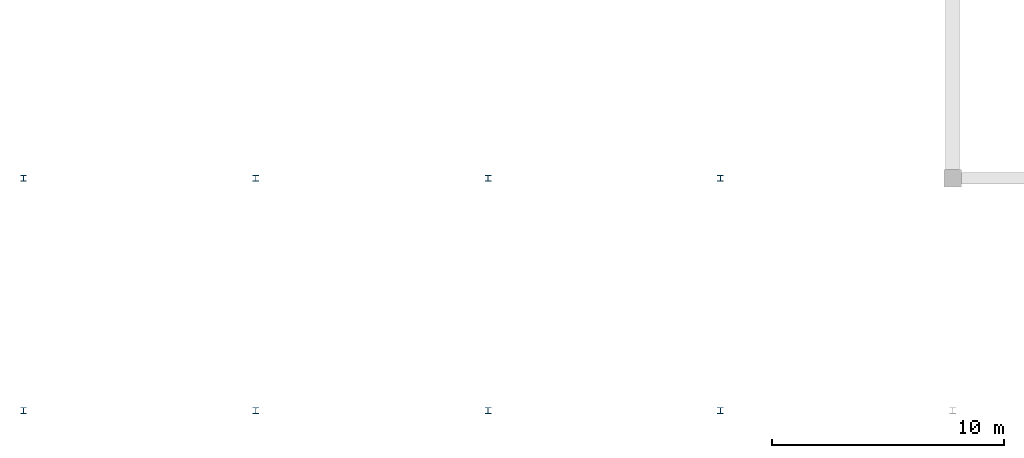
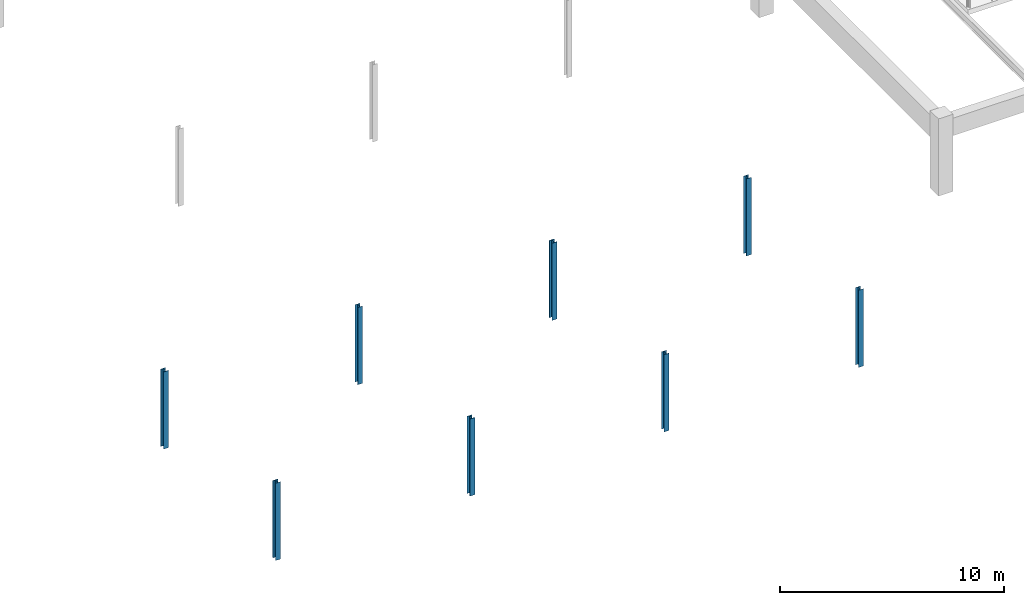
# One storey, part 1 of 100: 8 columns.
"""IFC4 building model written with IfcOpenShell, lengths in metres."""

from ifc_helpers import new_model, si_unit, direction, frame, origin, origin_2d, place, context, subcontext, project, spatial, i_section, extrude, material, material_profile, profile_set, type_object, element, save


model = new_model("IFC4")

# Units and contexts
model_context = context("Model", 3, precision=1e-05, world=origin(), true_north=direction((0.0, 1.0)))
body_context = subcontext(model_context, "Body", "Model", "MODEL_VIEW")
ifc_project = project(units=[si_unit("LENGTHUNIT", "METRE"), si_unit("AREAUNIT", "SQUARE_METRE"), si_unit("VOLUMEUNIT", "CUBIC_METRE"), si_unit("PLANEANGLEUNIT", "RADIAN"), si_unit("MASSUNIT", "GRAM", prefix="KILO")], contexts=[model_context])

# Site, building, storey
site_placement = place(None, origin())
site = spatial("IfcSite", under=ifc_project, at=site_placement, CompositionType="ELEMENT")
building_placement = place(site_placement, origin())
building = spatial("IfcBuilding", under=site, at=building_placement, Name="Kivolera Central Railway Station", CompositionType="ELEMENT")
storey_placement = place(building_placement, frame((0.0, 0.0, 5.39990234375)))
storey = spatial("IfcBuildingStorey", under=building, at=storey_placement, Name="L01", CompositionType="ELEMENT", Elevation=5.39990234375)

# Columns
ifc_material = material(Name="Steel S355", Category="steel")
ifc_material_profile = material_profile(ifc_material, i_section(OverallWidth=0.25634765625, OverallDepth=0.26025390625, WebThickness=0.01025390625, FlangeThickness=0.017333984375, FilletRadius=0.0126953125, at=origin_2d()), Name="UC 254x254x89")
ifc_profile_set = profile_set([ifc_material_profile], Name="Steel S355")
column_type = type_object("IfcColumnType", Name="COL-STL-UC254", PredefinedType="COLUMN", material=ifc_profile_set)
for number, where, z_axis, x_axis, name in (
    (1, (8.0, 6.0, 0.0), (0.0, 0.0, 1.0), (1.0, 0.0, 0.0), "L01 Train Shed Column 1-A"),
    (2, (8.0, 16.0, 0.0), (0.0, 0.0, 1.0), (1.0, 0.0, 0.0), "L01 Train Shed Column 1-B"),
    (3, (18.0, 6.0, 0.0), (0.0, 0.0, 1.0), (1.0, 0.0, 0.0), "L01 Train Shed Column 2-A"),
    (4, (18.0, 16.0, 0.0), (0.0, 0.0, 1.0), (1.0, 0.0, 0.0), "L01 Train Shed Column 2-B"),
    (5, (28.0, 6.0, 0.0), (0.0, 0.0, 1.0), (1.0, 0.0, 0.0), "L01 Train Shed Column 3-A"),
    (6, (28.0, 16.0, 0.0), (0.0, 0.0, 1.0), (1.0, 0.0, 0.0), "L01 Train Shed Column 3-B"),
    (7, (38.0, 6.0, 0.0), (0.0, 0.0, 1.0), (1.0, 0.0, 0.0), "L01 Train Shed Column 4-A"),
    (8, (38.0, 16.0, 0.0), (0.0, 0.0, 1.0), (1.0, 0.0, 0.0), "L01 Train Shed Column 4-B"),
):
    element("IfcColumn", number, at=place(storey_placement, frame(where, z_axis=z_axis, x_axis=x_axis)), inside=storey, type_object=column_type, Name=name, PredefinedType="COLUMN", context=body_context, shape_type="SweptSolid", body=[
        extrude(i_section(OverallWidth=0.25634765625, OverallDepth=0.26025390625, WebThickness=0.01025390625, FlangeThickness=0.017333984375, FilletRadius=0.0126953125, at=origin_2d()), origin(), (0.0, 0.0, 1.0), 4.2001953125),
    ])

save(model, "model.ifc")
